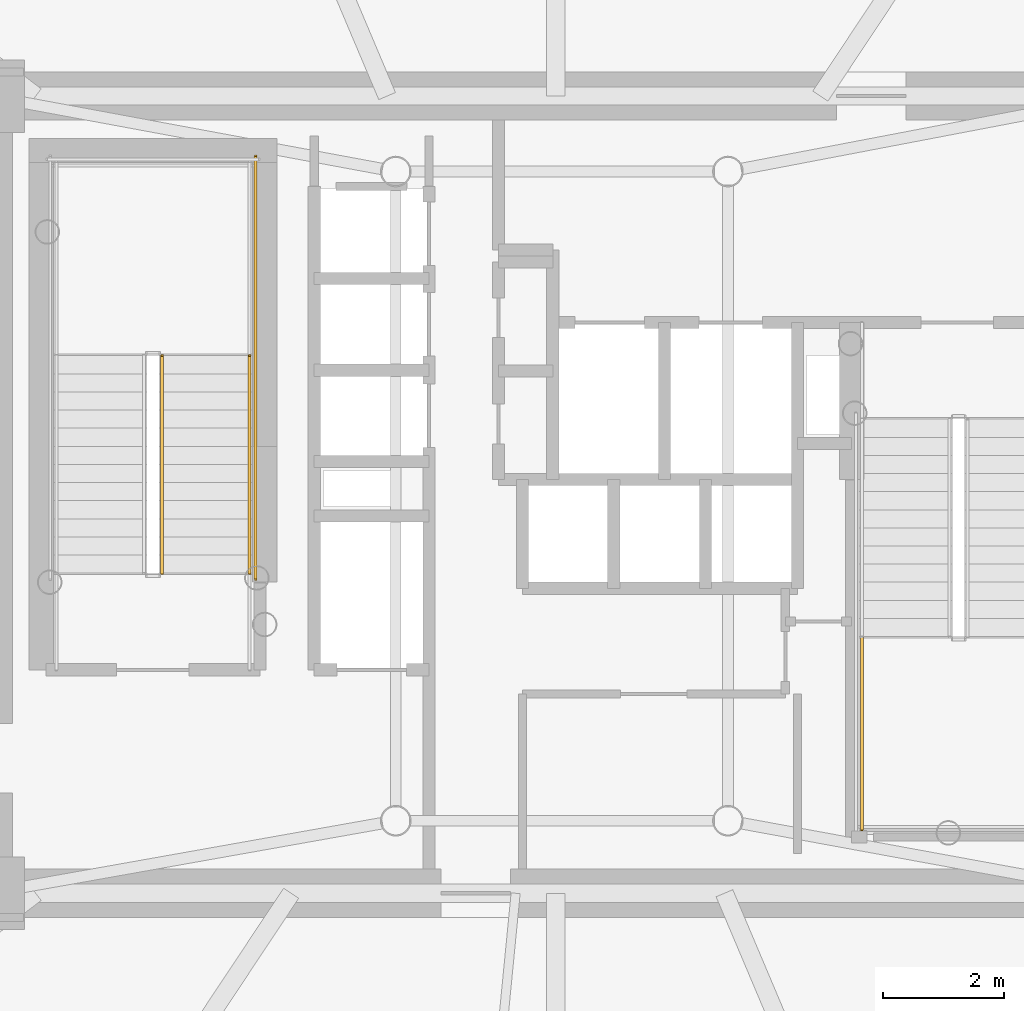
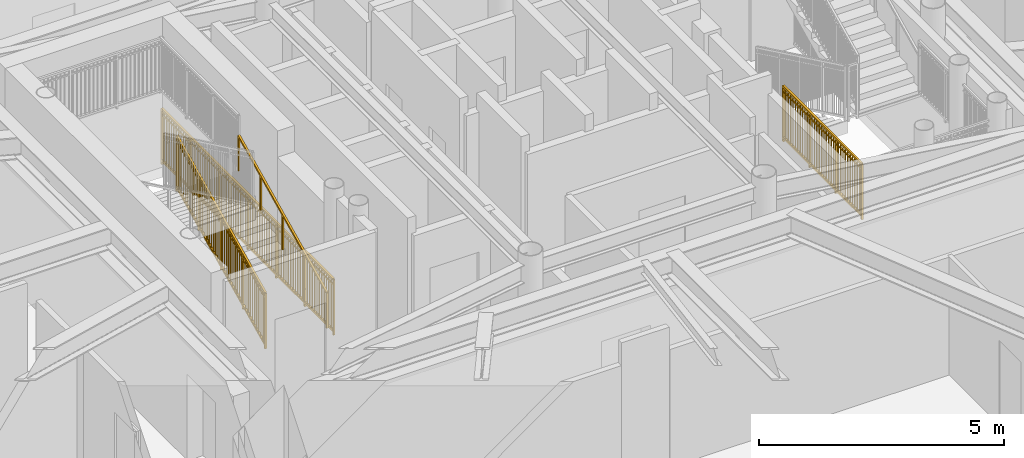
# One storey, part 13 of 17: 4 railings.
"""IFC4 building model written with IfcOpenShell, lengths in metres."""

from ifc_helpers import new_model, si_unit, direction, frame, origin, origin_2d, place, context, subcontext, project, spatial, rectangle, extrude, source, transform, mapped, material, type_object, element, save


model = new_model("IFC4")

# Units and contexts
model_context = context("Model", 3, precision=1e-05, world=origin(), true_north=direction((0.0, 1.0)))
body_context = subcontext(model_context, "Body", "Model", "MODEL_VIEW")
ifc_project = project(units=[si_unit("LENGTHUNIT", "METRE"), si_unit("AREAUNIT", "SQUARE_METRE"), si_unit("VOLUMEUNIT", "CUBIC_METRE"), si_unit("PLANEANGLEUNIT", "RADIAN"), si_unit("MASSUNIT", "GRAM", prefix="KILO")], contexts=[model_context])

# Site, building, storey
site_placement = place(None, origin())
site = spatial("IfcSite", under=ifc_project, at=site_placement, CompositionType="ELEMENT")
building_placement = place(site_placement, origin())
building = spatial("IfcBuilding", under=site, at=building_placement, Name="Linh Dai School and Residence Tower", CompositionType="ELEMENT")
storey_placement = place(building_placement, frame((0.0, 0.0, 197.39990234375)))
storey = spatial("IfcBuildingStorey", under=building, at=storey_placement, Name="L48", CompositionType="ELEMENT", Elevation=197.39990234375)

# Railings
ifc_material_1 = material(Name="Structural Steel S355JR", Category="steel")
railing_type_1 = type_object("IfcRailingType", Name="RL-ST-GUARD-1400", PredefinedType="GUARDRAIL", material=ifc_material_1)
shared_shape_1 = source(origin(), body_context, "Body", "SweptSolid", [
    extrude(rectangle(XDim=0.048095703125, YDim=0.048095703125, at=origin_2d()), frame((0.0, 0.0, 1.3759765625), z_axis=(0.0, 1.0, 0.0), x_axis=(-1.0, 0.0, 0.0)), (0.0, 0.0, 1.0), 7.0),
    extrude(rectangle(XDim=0.048095703125, YDim=0.048095703125, at=origin_2d()), frame((0.0, 0.0, 0.10009765625), z_axis=(0.0, 1.0, 0.0), x_axis=(-1.0, 0.0, 0.0)), (0.0, 0.0, 1.0), 7.0),
    extrude(rectangle(XDim=0.030029296875, YDim=0.030029296875, at=origin_2d()), frame((0.0, 0.0, 1.239990234375), z_axis=(0.0, 1.0, 0.0), x_axis=(-1.0, 0.0, 0.0)), (0.0, 0.0, 1.0), 7.0),
    extrude(rectangle(XDim=0.02001953125, YDim=0.02001953125, at=origin_2d()), frame((0.0, 0.09716796875, 0.10009765625)), (0.0, 0.0, 1.0), 1.251708984375),
    extrude(rectangle(XDim=0.02001953125, YDim=0.02001953125, at=origin_2d()), frame((0.0, 0.1943359375, 0.10009765625)), (0.0, 0.0, 1.0), 1.251708984375),
    extrude(rectangle(XDim=0.02001953125, YDim=0.02001953125, at=origin_2d()), frame((0.0, 0.291748046875, 0.10009765625)), (0.0, 0.0, 1.0), 1.251708984375),
    extrude(rectangle(XDim=0.02001953125, YDim=0.02001953125, at=origin_2d()), frame((0.0, 0.388916015625, 0.10009765625)), (0.0, 0.0, 1.0), 1.251708984375),
    extrude(rectangle(XDim=0.02001953125, YDim=0.02001953125, at=origin_2d()), frame((0.0, 0.486083984375, 0.10009765625)), (0.0, 0.0, 1.0), 1.251708984375),
    extrude(rectangle(XDim=0.02001953125, YDim=0.02001953125, at=origin_2d()), frame((0.0, 0.583251953125, 0.10009765625)), (0.0, 0.0, 1.0), 1.251708984375),
    extrude(rectangle(XDim=0.02001953125, YDim=0.02001953125, at=origin_2d()), frame((0.0, 0.6806640625, 0.10009765625)), (0.0, 0.0, 1.0), 1.251708984375),
    extrude(rectangle(XDim=0.02001953125, YDim=0.02001953125, at=origin_2d()), frame((0.0, 0.77783203125, 0.10009765625)), (0.0, 0.0, 1.0), 1.251708984375),
    extrude(rectangle(XDim=0.02001953125, YDim=0.02001953125, at=origin_2d()), frame((0.0, 0.875, 0.10009765625)), (0.0, 0.0, 1.0), 1.251708984375),
    extrude(rectangle(XDim=0.02001953125, YDim=0.02001953125, at=origin_2d()), frame((0.0, 0.97216796875, 0.10009765625)), (0.0, 0.0, 1.0), 1.251708984375),
    extrude(rectangle(XDim=0.02001953125, YDim=0.02001953125, at=origin_2d()), frame((0.0, 1.0693359375, 0.10009765625)), (0.0, 0.0, 1.0), 1.251708984375),
    extrude(rectangle(XDim=0.02001953125, YDim=0.02001953125, at=origin_2d()), frame((0.0, 1.263916015625, 0.10009765625)), (0.0, 0.0, 1.0), 1.251708984375),
    extrude(rectangle(XDim=0.02001953125, YDim=0.02001953125, at=origin_2d()), frame((0.0, 1.361083984375, 0.10009765625)), (0.0, 0.0, 1.0), 1.251708984375),
    extrude(rectangle(XDim=0.02001953125, YDim=0.02001953125, at=origin_2d()), frame((0.0, 1.458251953125, 0.10009765625)), (0.0, 0.0, 1.0), 1.251708984375),
    extrude(rectangle(XDim=0.02001953125, YDim=0.02001953125, at=origin_2d()), frame((0.0, 1.5556640625, 0.10009765625)), (0.0, 0.0, 1.0), 1.251708984375),
    extrude(rectangle(XDim=0.02001953125, YDim=0.02001953125, at=origin_2d()), frame((0.0, 1.65283203125, 0.10009765625)), (0.0, 0.0, 1.0), 1.251708984375),
    extrude(rectangle(XDim=0.02001953125, YDim=0.02001953125, at=origin_2d()), frame((0.0, 1.75, 0.10009765625)), (0.0, 0.0, 1.0), 1.251708984375),
    extrude(rectangle(XDim=0.02001953125, YDim=0.02001953125, at=origin_2d()), frame((0.0, 1.84716796875, 0.10009765625)), (0.0, 0.0, 1.0), 1.251708984375),
    extrude(rectangle(XDim=0.02001953125, YDim=0.02001953125, at=origin_2d()), frame((0.0, 1.9443359375, 0.10009765625)), (0.0, 0.0, 1.0), 1.251708984375),
    extrude(rectangle(XDim=0.02001953125, YDim=0.02001953125, at=origin_2d()), frame((0.0, 2.041748046875, 0.10009765625)), (0.0, 0.0, 1.0), 1.251708984375),
    extrude(rectangle(XDim=0.02001953125, YDim=0.02001953125, at=origin_2d()), frame((0.0, 2.138916015625, 0.10009765625)), (0.0, 0.0, 1.0), 1.251708984375),
    extrude(rectangle(XDim=0.02001953125, YDim=0.02001953125, at=origin_2d()), frame((0.0, 2.236083984375, 0.10009765625)), (0.0, 0.0, 1.0), 1.251708984375),
    extrude(rectangle(XDim=0.02001953125, YDim=0.02001953125, at=origin_2d()), frame((0.0, 2.4306640625, 0.10009765625)), (0.0, 0.0, 1.0), 1.251708984375),
    extrude(rectangle(XDim=0.02001953125, YDim=0.02001953125, at=origin_2d()), frame((0.0, 2.52783203125, 0.10009765625)), (0.0, 0.0, 1.0), 1.251708984375),
    extrude(rectangle(XDim=0.02001953125, YDim=0.02001953125, at=origin_2d()), frame((0.0, 2.625, 0.10009765625)), (0.0, 0.0, 1.0), 1.251708984375),
    extrude(rectangle(XDim=0.02001953125, YDim=0.02001953125, at=origin_2d()), frame((0.0, 2.72216796875, 0.10009765625)), (0.0, 0.0, 1.0), 1.251708984375),
    extrude(rectangle(XDim=0.02001953125, YDim=0.02001953125, at=origin_2d()), frame((0.0, 2.8193359375, 0.10009765625)), (0.0, 0.0, 1.0), 1.251708984375),
    extrude(rectangle(XDim=0.02001953125, YDim=0.02001953125, at=origin_2d()), frame((0.0, 2.916748046875, 0.10009765625)), (0.0, 0.0, 1.0), 1.251708984375),
    extrude(rectangle(XDim=0.02001953125, YDim=0.02001953125, at=origin_2d()), frame((0.0, 3.013916015625, 0.10009765625)), (0.0, 0.0, 1.0), 1.251708984375),
    extrude(rectangle(XDim=0.02001953125, YDim=0.02001953125, at=origin_2d()), frame((0.0, 3.111083984375, 0.10009765625)), (0.0, 0.0, 1.0), 1.251708984375),
    extrude(rectangle(XDim=0.02001953125, YDim=0.02001953125, at=origin_2d()), frame((0.0, 3.208251953125, 0.10009765625)), (0.0, 0.0, 1.0), 1.251708984375),
    extrude(rectangle(XDim=0.02001953125, YDim=0.02001953125, at=origin_2d()), frame((0.0, 3.3056640625, 0.10009765625)), (0.0, 0.0, 1.0), 1.251708984375),
    extrude(rectangle(XDim=0.02001953125, YDim=0.02001953125, at=origin_2d()), frame((0.0, 3.40283203125, 0.10009765625)), (0.0, 0.0, 1.0), 1.251708984375),
    extrude(rectangle(XDim=0.02001953125, YDim=0.02001953125, at=origin_2d()), frame((0.0, 3.59716796875, 0.10009765625)), (0.0, 0.0, 1.0), 1.251708984375),
    extrude(rectangle(XDim=0.02001953125, YDim=0.02001953125, at=origin_2d()), frame((0.0, 3.6943359375, 0.10009765625)), (0.0, 0.0, 1.0), 1.251708984375),
    extrude(rectangle(XDim=0.02001953125, YDim=0.02001953125, at=origin_2d()), frame((0.0, 3.791748046875, 0.10009765625)), (0.0, 0.0, 1.0), 1.251708984375),
    extrude(rectangle(XDim=0.02001953125, YDim=0.02001953125, at=origin_2d()), frame((0.0, 3.888916015625, 0.10009765625)), (0.0, 0.0, 1.0), 1.251708984375),
    extrude(rectangle(XDim=0.02001953125, YDim=0.02001953125, at=origin_2d()), frame((0.0, 3.986083984375, 0.10009765625)), (0.0, 0.0, 1.0), 1.251708984375),
    extrude(rectangle(XDim=0.02001953125, YDim=0.02001953125, at=origin_2d()), frame((0.0, 4.083251953125, 0.10009765625)), (0.0, 0.0, 1.0), 1.251708984375),
    extrude(rectangle(XDim=0.02001953125, YDim=0.02001953125, at=origin_2d()), frame((0.0, 4.1806640625, 0.10009765625)), (0.0, 0.0, 1.0), 1.251708984375),
    extrude(rectangle(XDim=0.02001953125, YDim=0.02001953125, at=origin_2d()), frame((0.0, 4.27783203125, 0.10009765625)), (0.0, 0.0, 1.0), 1.251708984375),
    extrude(rectangle(XDim=0.02001953125, YDim=0.02001953125, at=origin_2d()), frame((0.0, 4.375, 0.10009765625)), (0.0, 0.0, 1.0), 1.251708984375),
    extrude(rectangle(XDim=0.02001953125, YDim=0.02001953125, at=origin_2d()), frame((0.0, 4.47216796875, 0.10009765625)), (0.0, 0.0, 1.0), 1.251708984375),
    extrude(rectangle(XDim=0.02001953125, YDim=0.02001953125, at=origin_2d()), frame((0.0, 4.5693359375, 0.10009765625)), (0.0, 0.0, 1.0), 1.251708984375),
    extrude(rectangle(XDim=0.02001953125, YDim=0.02001953125, at=origin_2d()), frame((0.0, 4.763916015625, 0.10009765625)), (0.0, 0.0, 1.0), 1.251708984375),
    extrude(rectangle(XDim=0.02001953125, YDim=0.02001953125, at=origin_2d()), frame((0.0, 4.861083984375, 0.10009765625)), (0.0, 0.0, 1.0), 1.251708984375),
    extrude(rectangle(XDim=0.02001953125, YDim=0.02001953125, at=origin_2d()), frame((0.0, 4.958251953125, 0.10009765625)), (0.0, 0.0, 1.0), 1.251708984375),
    extrude(rectangle(XDim=0.02001953125, YDim=0.02001953125, at=origin_2d()), frame((0.0, 5.0556640625, 0.10009765625)), (0.0, 0.0, 1.0), 1.251708984375),
    extrude(rectangle(XDim=0.02001953125, YDim=0.02001953125, at=origin_2d()), frame((0.0, 5.15283203125, 0.10009765625)), (0.0, 0.0, 1.0), 1.251708984375),
    extrude(rectangle(XDim=0.02001953125, YDim=0.02001953125, at=origin_2d()), frame((0.0, 5.25, 0.10009765625)), (0.0, 0.0, 1.0), 1.251708984375),
    extrude(rectangle(XDim=0.02001953125, YDim=0.02001953125, at=origin_2d()), frame((0.0, 5.34716796875, 0.10009765625)), (0.0, 0.0, 1.0), 1.251708984375),
    extrude(rectangle(XDim=0.02001953125, YDim=0.02001953125, at=origin_2d()), frame((0.0, 5.4443359375, 0.10009765625)), (0.0, 0.0, 1.0), 1.251708984375),
    extrude(rectangle(XDim=0.02001953125, YDim=0.02001953125, at=origin_2d()), frame((0.0, 5.541748046875, 0.10009765625)), (0.0, 0.0, 1.0), 1.251708984375),
    extrude(rectangle(XDim=0.02001953125, YDim=0.02001953125, at=origin_2d()), frame((0.0, 5.638916015625, 0.10009765625)), (0.0, 0.0, 1.0), 1.251708984375),
    extrude(rectangle(XDim=0.02001953125, YDim=0.02001953125, at=origin_2d()), frame((0.0, 5.736083984375, 0.10009765625)), (0.0, 0.0, 1.0), 1.251708984375),
    extrude(rectangle(XDim=0.02001953125, YDim=0.02001953125, at=origin_2d()), frame((0.0, 5.9306640625, 0.10009765625)), (0.0, 0.0, 1.0), 1.251708984375),
    extrude(rectangle(XDim=0.02001953125, YDim=0.02001953125, at=origin_2d()), frame((0.0, 6.02783203125, 0.10009765625)), (0.0, 0.0, 1.0), 1.251708984375),
    extrude(rectangle(XDim=0.02001953125, YDim=0.02001953125, at=origin_2d()), frame((0.0, 6.125, 0.10009765625)), (0.0, 0.0, 1.0), 1.251708984375),
    extrude(rectangle(XDim=0.02001953125, YDim=0.02001953125, at=origin_2d()), frame((0.0, 6.22216796875, 0.10009765625)), (0.0, 0.0, 1.0), 1.251708984375),
    extrude(rectangle(XDim=0.02001953125, YDim=0.02001953125, at=origin_2d()), frame((0.0, 6.3193359375, 0.10009765625)), (0.0, 0.0, 1.0), 1.251708984375),
    extrude(rectangle(XDim=0.02001953125, YDim=0.02001953125, at=origin_2d()), frame((0.0, 6.416748046875, 0.10009765625)), (0.0, 0.0, 1.0), 1.251708984375),
    extrude(rectangle(XDim=0.02001953125, YDim=0.02001953125, at=origin_2d()), frame((0.0, 6.513916015625, 0.10009765625)), (0.0, 0.0, 1.0), 1.251708984375),
    extrude(rectangle(XDim=0.02001953125, YDim=0.02001953125, at=origin_2d()), frame((0.0, 6.611083984375, 0.10009765625)), (0.0, 0.0, 1.0), 1.251708984375),
    extrude(rectangle(XDim=0.02001953125, YDim=0.02001953125, at=origin_2d()), frame((0.0, 6.708251953125, 0.10009765625)), (0.0, 0.0, 1.0), 1.251708984375),
    extrude(rectangle(XDim=0.02001953125, YDim=0.02001953125, at=origin_2d()), frame((0.0, 6.8056640625, 0.10009765625)), (0.0, 0.0, 1.0), 1.251708984375),
    extrude(rectangle(XDim=0.02001953125, YDim=0.02001953125, at=origin_2d()), frame((0.0, 6.90283203125, 0.10009765625)), (0.0, 0.0, 1.0), 1.251708984375),
    extrude(rectangle(XDim=0.0419921875, YDim=0.0419921875, at=origin_2d()), origin(), (0.0, 0.0, 1.0), 1.3759765625),
    extrude(rectangle(XDim=0.0419921875, YDim=0.0419921875, at=origin_2d()), frame((0.0, 1.166748046875, 0.0)), (0.0, 0.0, 1.0), 1.3759765625),
    extrude(rectangle(XDim=0.0419921875, YDim=0.0419921875, at=origin_2d()), frame((0.0, 2.333251953125, 0.0)), (0.0, 0.0, 1.0), 1.3759765625),
    extrude(rectangle(XDim=0.0419921875, YDim=0.0419921875, at=origin_2d()), frame((0.0, 3.5, 0.0)), (0.0, 0.0, 1.0), 1.3759765625),
    extrude(rectangle(XDim=0.0419921875, YDim=0.0419921875, at=origin_2d()), frame((0.0, 4.666748046875, 0.0)), (0.0, 0.0, 1.0), 1.3759765625),
    extrude(rectangle(XDim=0.0419921875, YDim=0.0419921875, at=origin_2d()), frame((0.0, 5.833251953125, 0.0)), (0.0, 0.0, 1.0), 1.3759765625),
    extrude(rectangle(XDim=0.0419921875, YDim=0.0419921875, at=origin_2d()), frame((0.0, 7.0, 0.0)), (0.0, 0.0, 1.0), 1.3759765625),
])
railing_1_placement = place(storey_placement, frame((31.030029296875, 25.60009765625, 0.0)))
element("IfcRailing", 1, at=railing_1_placement, inside=storey, type_object=railing_type_1, Name="L48 ST1 stair guard 10", PredefinedType="GUARDRAIL", context=body_context, shape_type="MappedRepresentation", body=[
    mapped(shared_shape_1, transform((0.0, 0.0, 0.0), x_axis=(1.0, 0.0, 0.0), y_axis=(0.0, 1.0, 0.0), z_axis=(0.0, 0.0, 1.0), scale=1.0)),
])
shared_shape_2 = source(origin(), body_context, "Body", "SweptSolid", [
    extrude(rectangle(XDim=0.048095703125, YDim=0.048095703125, at=origin_2d()), frame((0.0, 0.0, 1.3759765625), z_axis=(0.0, 0.901262522062, 0.433273431364), x_axis=(-1.0, 0.0, 0.0)), (0.0, 0.0, 1.0), 3.994384765625),
    extrude(rectangle(XDim=0.048095703125, YDim=0.048095703125, at=origin_2d()), frame((0.0, 0.0, 0.10009765625), z_axis=(0.0, 0.901262522062, 0.433273431364), x_axis=(-1.0, 0.0, 0.0)), (0.0, 0.0, 1.0), 3.994384765625),
    extrude(rectangle(XDim=0.030029296875, YDim=0.030029296875, at=origin_2d()), frame((0.0, 0.0, 1.239990234375), z_axis=(0.0, 0.901262522062, 0.433273431364), x_axis=(-1.0, 0.0, 0.0)), (0.0, 0.0, 1.0), 3.994384765625),
    extrude(rectangle(XDim=0.02001953125, YDim=0.02001953125, at=origin_2d()), frame((0.0, 0.087890625, 0.142333984375)), (0.0, 0.0, 1.0), 1.251708984375),
    extrude(rectangle(XDim=0.02001953125, YDim=0.02001953125, at=origin_2d()), frame((0.0, 0.175537109375, 0.1845703125)), (0.0, 0.0, 1.0), 1.251708984375),
    extrude(rectangle(XDim=0.02001953125, YDim=0.02001953125, at=origin_2d()), frame((0.0, 0.263427734375, 0.226806640625)), (0.0, 0.0, 1.0), 1.251708984375),
    extrude(rectangle(XDim=0.02001953125, YDim=0.02001953125, at=origin_2d()), frame((0.0, 0.351318359375, 0.26904296875)), (0.0, 0.0, 1.0), 1.251708984375),
    extrude(rectangle(XDim=0.02001953125, YDim=0.02001953125, at=origin_2d()), frame((0.0, 0.43896484375, 0.311279296875)), (0.0, 0.0, 1.0), 1.251708984375),
    extrude(rectangle(XDim=0.02001953125, YDim=0.02001953125, at=origin_2d()), frame((0.0, 0.52685546875, 0.353271484375)), (0.0, 0.0, 1.0), 1.251708984375),
    extrude(rectangle(XDim=0.02001953125, YDim=0.02001953125, at=origin_2d()), frame((0.0, 0.61474609375, 0.3955078125)), (0.0, 0.0, 1.0), 1.251708984375),
    extrude(rectangle(XDim=0.02001953125, YDim=0.02001953125, at=origin_2d()), frame((0.0, 0.702392578125, 0.437744140625)), (0.0, 0.0, 1.0), 1.251708984375),
    extrude(rectangle(XDim=0.02001953125, YDim=0.02001953125, at=origin_2d()), frame((0.0, 0.790283203125, 0.47998046875)), (0.0, 0.0, 1.0), 1.251708984375),
    extrude(rectangle(XDim=0.02001953125, YDim=0.02001953125, at=origin_2d()), frame((0.0, 0.9658203125, 0.564453125)), (0.0, 0.0, 1.0), 1.251708984375),
    extrude(rectangle(XDim=0.02001953125, YDim=0.02001953125, at=origin_2d()), frame((0.0, 1.0537109375, 0.606689453125)), (0.0, 0.0, 1.0), 1.251708984375),
    extrude(rectangle(XDim=0.02001953125, YDim=0.02001953125, at=origin_2d()), frame((0.0, 1.1416015625, 0.64892578125)), (0.0, 0.0, 1.0), 1.251708984375),
    extrude(rectangle(XDim=0.02001953125, YDim=0.02001953125, at=origin_2d()), frame((0.0, 1.229248046875, 0.691162109375)), (0.0, 0.0, 1.0), 1.251708984375),
    extrude(rectangle(XDim=0.02001953125, YDim=0.02001953125, at=origin_2d()), frame((0.0, 1.317138671875, 0.7333984375)), (0.0, 0.0, 1.0), 1.251708984375),
    extrude(rectangle(XDim=0.02001953125, YDim=0.02001953125, at=origin_2d()), frame((0.0, 1.405029296875, 0.775390625)), (0.0, 0.0, 1.0), 1.251708984375),
    extrude(rectangle(XDim=0.02001953125, YDim=0.02001953125, at=origin_2d()), frame((0.0, 1.49267578125, 0.817626953125)), (0.0, 0.0, 1.0), 1.251708984375),
    extrude(rectangle(XDim=0.02001953125, YDim=0.02001953125, at=origin_2d()), frame((0.0, 1.58056640625, 0.85986328125)), (0.0, 0.0, 1.0), 1.251708984375),
    extrude(rectangle(XDim=0.02001953125, YDim=0.02001953125, at=origin_2d()), frame((0.0, 1.66845703125, 0.902099609375)), (0.0, 0.0, 1.0), 1.251708984375),
    extrude(rectangle(XDim=0.02001953125, YDim=0.02001953125, at=origin_2d()), frame((0.0, 1.756103515625, 0.9443359375)), (0.0, 0.0, 1.0), 1.251708984375),
    extrude(rectangle(XDim=0.02001953125, YDim=0.02001953125, at=origin_2d()), frame((0.0, 1.843994140625, 0.986572265625)), (0.0, 0.0, 1.0), 1.251708984375),
    extrude(rectangle(XDim=0.02001953125, YDim=0.02001953125, at=origin_2d()), frame((0.0, 1.931640625, 1.02880859375)), (0.0, 0.0, 1.0), 1.251708984375),
    extrude(rectangle(XDim=0.02001953125, YDim=0.02001953125, at=origin_2d()), frame((0.0, 2.01953125, 1.071044921875)), (0.0, 0.0, 1.0), 1.251708984375),
    extrude(rectangle(XDim=0.02001953125, YDim=0.02001953125, at=origin_2d()), frame((0.0, 2.107421875, 1.11328125)), (0.0, 0.0, 1.0), 1.251708984375),
    extrude(rectangle(XDim=0.02001953125, YDim=0.02001953125, at=origin_2d()), frame((0.0, 2.195068359375, 1.155517578125)), (0.0, 0.0, 1.0), 1.251708984375),
    extrude(rectangle(XDim=0.02001953125, YDim=0.02001953125, at=origin_2d()), frame((0.0, 2.282958984375, 1.197509765625)), (0.0, 0.0, 1.0), 1.251708984375),
    extrude(rectangle(XDim=0.02001953125, YDim=0.02001953125, at=origin_2d()), frame((0.0, 2.370849609375, 1.23974609375)), (0.0, 0.0, 1.0), 1.251708984375),
    extrude(rectangle(XDim=0.02001953125, YDim=0.02001953125, at=origin_2d()), frame((0.0, 2.45849609375, 1.281982421875)), (0.0, 0.0, 1.0), 1.251708984375),
    extrude(rectangle(XDim=0.02001953125, YDim=0.02001953125, at=origin_2d()), frame((0.0, 2.54638671875, 1.32421875)), (0.0, 0.0, 1.0), 1.251708984375),
    extrude(rectangle(XDim=0.02001953125, YDim=0.02001953125, at=origin_2d()), frame((0.0, 2.63427734375, 1.366455078125)), (0.0, 0.0, 1.0), 1.251708984375),
    extrude(rectangle(XDim=0.02001953125, YDim=0.02001953125, at=origin_2d()), frame((0.0, 2.809814453125, 1.450927734375)), (0.0, 0.0, 1.0), 1.251708984375),
    extrude(rectangle(XDim=0.02001953125, YDim=0.02001953125, at=origin_2d()), frame((0.0, 2.897705078125, 1.4931640625)), (0.0, 0.0, 1.0), 1.251708984375),
    extrude(rectangle(XDim=0.02001953125, YDim=0.02001953125, at=origin_2d()), frame((0.0, 2.9853515625, 1.535400390625)), (0.0, 0.0, 1.0), 1.251708984375),
    extrude(rectangle(XDim=0.02001953125, YDim=0.02001953125, at=origin_2d()), frame((0.0, 3.0732421875, 1.57763671875)), (0.0, 0.0, 1.0), 1.251708984375),
    extrude(rectangle(XDim=0.02001953125, YDim=0.02001953125, at=origin_2d()), frame((0.0, 3.1611328125, 1.61962890625)), (0.0, 0.0, 1.0), 1.251708984375),
    extrude(rectangle(XDim=0.02001953125, YDim=0.02001953125, at=origin_2d()), frame((0.0, 3.248779296875, 1.661865234375)), (0.0, 0.0, 1.0), 1.251708984375),
    extrude(rectangle(XDim=0.02001953125, YDim=0.02001953125, at=origin_2d()), frame((0.0, 3.336669921875, 1.7041015625)), (0.0, 0.0, 1.0), 1.251708984375),
    extrude(rectangle(XDim=0.02001953125, YDim=0.02001953125, at=origin_2d()), frame((0.0, 3.424560546875, 1.746337890625)), (0.0, 0.0, 1.0), 1.251708984375),
    extrude(rectangle(XDim=0.02001953125, YDim=0.02001953125, at=origin_2d()), frame((0.0, 3.51220703125, 1.78857421875)), (0.0, 0.0, 1.0), 1.251708984375),
    extrude(rectangle(XDim=0.0419921875, YDim=0.0419921875, at=origin_2d()), origin(), (0.0, 0.0, 1.0), 1.3759765625),
    extrude(rectangle(XDim=0.0419921875, YDim=0.0419921875, at=origin_2d()), frame((0.0, 0.89990234375, 0.4326171875)), (0.0, 0.0, 1.0), 1.3759765625),
    extrude(rectangle(XDim=0.0419921875, YDim=0.0419921875, at=origin_2d()), frame((0.0, 1.800048828125, 0.865234375)), (0.0, 0.0, 1.0), 1.3759765625),
    extrude(rectangle(XDim=0.0419921875, YDim=0.0419921875, at=origin_2d()), frame((0.0, 2.7001953125, 1.298095703125)), (0.0, 0.0, 1.0), 1.3759765625),
    extrude(rectangle(XDim=0.0419921875, YDim=0.0419921875, at=origin_2d()), frame((0.0, 3.60009765625, 1.730712890625)), (0.0, 0.0, 1.0), 1.3759765625),
])
railing_2_placement = place(storey_placement, frame((29.47998046875, 25.699951171875, 0.144287109375)))
element("IfcRailing", 2, at=railing_2_placement, inside=storey, type_object=railing_type_1, Name="L48 ST1 stair guard 1", PredefinedType="GUARDRAIL", context=body_context, shape_type="MappedRepresentation", body=[
    mapped(shared_shape_2, transform((0.0, 0.0, 0.0), x_axis=(1.0, 0.0, 0.0), y_axis=(0.0, 1.0, 0.0), z_axis=(0.0, 0.0, 1.0), scale=1.0)),
])
ifc_material_2 = material(Name="Brushed Stainless Steel Handrail", Category="steel")
railing_type_2 = type_object("IfcRailingType", Name="RL-ST-HANDRAIL-900", PredefinedType="HANDRAIL", material=ifc_material_2)
shared_shape_3 = source(origin(), body_context, "Body", "SweptSolid", [
    extrude(rectangle(XDim=0.048095703125, YDim=0.048095703125, at=origin_2d()), frame((0.0, 0.0, 0.8759765625), z_axis=(0.0, 0.901262522062, 0.433273431364), x_axis=(-1.0, 0.0, 0.0)), (0.0, 0.0, 1.0), 3.994384765625),
    extrude(rectangle(XDim=0.0419921875, YDim=0.0419921875, at=origin_2d()), origin(), (0.0, 0.0, 1.0), 0.8759765625),
    extrude(rectangle(XDim=0.0419921875, YDim=0.0419921875, at=origin_2d()), frame((0.0, 0.89990234375, 0.4326171875)), (0.0, 0.0, 1.0), 0.8759765625),
    extrude(rectangle(XDim=0.0419921875, YDim=0.0419921875, at=origin_2d()), frame((0.0, 1.800048828125, 0.865234375)), (0.0, 0.0, 1.0), 0.8759765625),
    extrude(rectangle(XDim=0.0419921875, YDim=0.0419921875, at=origin_2d()), frame((0.0, 2.7001953125, 1.298095703125)), (0.0, 0.0, 1.0), 0.8759765625),
    extrude(rectangle(XDim=0.0419921875, YDim=0.0419921875, at=origin_2d()), frame((0.0, 3.60009765625, 1.730712890625)), (0.0, 0.0, 1.0), 0.8759765625),
])
railing_3_placement = place(storey_placement, frame((30.929931640625, 25.699951171875, 0.144287109375)))
element("IfcRailing", 3, at=railing_3_placement, inside=storey, type_object=railing_type_2, Name="L48 ST1 stair handrail 1", PredefinedType="HANDRAIL", context=body_context, shape_type="MappedRepresentation", body=[
    mapped(shared_shape_3, transform((0.0, 0.0, 0.0), x_axis=(1.0, 0.0, 0.0), y_axis=(0.0, 1.0, 0.0), z_axis=(0.0, 0.0, 1.0), scale=1.0)),
])
shared_shape_4 = source(origin(), body_context, "Body", "SweptSolid", [
    extrude(rectangle(XDim=0.048095703125, YDim=0.048095703125, at=origin_2d()), frame((0.0, 0.0, 1.3759765625), z_axis=(0.0, -1.0, 0.0), x_axis=(1.0, 0.0, 0.0)), (0.0, 0.0, 1.0), 3.199951171875),
    extrude(rectangle(XDim=0.048095703125, YDim=0.048095703125, at=origin_2d()), frame((0.0, 0.0, 0.10009765625), z_axis=(0.0, -1.0, 0.0), x_axis=(1.0, 0.0, 0.0)), (0.0, 0.0, 1.0), 3.199951171875),
    extrude(rectangle(XDim=0.030029296875, YDim=0.030029296875, at=origin_2d()), frame((0.0, 0.0, 1.239990234375), z_axis=(0.0, -1.0, 0.0), x_axis=(1.0, 0.0, 0.0)), (0.0, 0.0, 1.0), 3.199951171875),
    extrude(rectangle(XDim=0.02001953125, YDim=0.02001953125, at=origin_2d()), frame((0.0, -0.096923828125, 0.10009765625)), (0.0, 0.0, 1.0), 1.251708984375),
    extrude(rectangle(XDim=0.02001953125, YDim=0.02001953125, at=origin_2d()), frame((0.0, -0.19384765625, 0.10009765625)), (0.0, 0.0, 1.0), 1.251708984375),
    extrude(rectangle(XDim=0.02001953125, YDim=0.02001953125, at=origin_2d()), frame((0.0, -0.291015625, 0.10009765625)), (0.0, 0.0, 1.0), 1.251708984375),
    extrude(rectangle(XDim=0.02001953125, YDim=0.02001953125, at=origin_2d()), frame((0.0, -0.387939453125, 0.10009765625)), (0.0, 0.0, 1.0), 1.251708984375),
    extrude(rectangle(XDim=0.02001953125, YDim=0.02001953125, at=origin_2d()), frame((0.0, -0.48486328125, 0.10009765625)), (0.0, 0.0, 1.0), 1.251708984375),
    extrude(rectangle(XDim=0.02001953125, YDim=0.02001953125, at=origin_2d()), frame((0.0, -0.581787109375, 0.10009765625)), (0.0, 0.0, 1.0), 1.251708984375),
    extrude(rectangle(XDim=0.02001953125, YDim=0.02001953125, at=origin_2d()), frame((0.0, -0.6787109375, 0.10009765625)), (0.0, 0.0, 1.0), 1.251708984375),
    extrude(rectangle(XDim=0.02001953125, YDim=0.02001953125, at=origin_2d()), frame((0.0, -0.775634765625, 0.10009765625)), (0.0, 0.0, 1.0), 1.251708984375),
    extrude(rectangle(XDim=0.02001953125, YDim=0.02001953125, at=origin_2d()), frame((0.0, -0.872802734375, 0.10009765625)), (0.0, 0.0, 1.0), 1.251708984375),
    extrude(rectangle(XDim=0.02001953125, YDim=0.02001953125, at=origin_2d()), frame((0.0, -0.9697265625, 0.10009765625)), (0.0, 0.0, 1.0), 1.251708984375),
    extrude(rectangle(XDim=0.02001953125, YDim=0.02001953125, at=origin_2d()), frame((0.0, -1.16357421875, 0.10009765625)), (0.0, 0.0, 1.0), 1.251708984375),
    extrude(rectangle(XDim=0.02001953125, YDim=0.02001953125, at=origin_2d()), frame((0.0, -1.260498046875, 0.10009765625)), (0.0, 0.0, 1.0), 1.251708984375),
    extrude(rectangle(XDim=0.02001953125, YDim=0.02001953125, at=origin_2d()), frame((0.0, -1.357666015625, 0.10009765625)), (0.0, 0.0, 1.0), 1.251708984375),
    extrude(rectangle(XDim=0.02001953125, YDim=0.02001953125, at=origin_2d()), frame((0.0, -1.45458984375, 0.10009765625)), (0.0, 0.0, 1.0), 1.251708984375),
    extrude(rectangle(XDim=0.02001953125, YDim=0.02001953125, at=origin_2d()), frame((0.0, -1.551513671875, 0.10009765625)), (0.0, 0.0, 1.0), 1.251708984375),
    extrude(rectangle(XDim=0.02001953125, YDim=0.02001953125, at=origin_2d()), frame((0.0, -1.6484375, 0.10009765625)), (0.0, 0.0, 1.0), 1.251708984375),
    extrude(rectangle(XDim=0.02001953125, YDim=0.02001953125, at=origin_2d()), frame((0.0, -1.745361328125, 0.10009765625)), (0.0, 0.0, 1.0), 1.251708984375),
    extrude(rectangle(XDim=0.02001953125, YDim=0.02001953125, at=origin_2d()), frame((0.0, -1.84228515625, 0.10009765625)), (0.0, 0.0, 1.0), 1.251708984375),
    extrude(rectangle(XDim=0.02001953125, YDim=0.02001953125, at=origin_2d()), frame((0.0, -1.939453125, 0.10009765625)), (0.0, 0.0, 1.0), 1.251708984375),
    extrude(rectangle(XDim=0.02001953125, YDim=0.02001953125, at=origin_2d()), frame((0.0, -2.036376953125, 0.10009765625)), (0.0, 0.0, 1.0), 1.251708984375),
    extrude(rectangle(XDim=0.02001953125, YDim=0.02001953125, at=origin_2d()), frame((0.0, -2.230224609375, 0.10009765625)), (0.0, 0.0, 1.0), 1.251708984375),
    extrude(rectangle(XDim=0.02001953125, YDim=0.02001953125, at=origin_2d()), frame((0.0, -2.3271484375, 0.10009765625)), (0.0, 0.0, 1.0), 1.251708984375),
    extrude(rectangle(XDim=0.02001953125, YDim=0.02001953125, at=origin_2d()), frame((0.0, -2.42431640625, 0.10009765625)), (0.0, 0.0, 1.0), 1.251708984375),
    extrude(rectangle(XDim=0.02001953125, YDim=0.02001953125, at=origin_2d()), frame((0.0, -2.521240234375, 0.10009765625)), (0.0, 0.0, 1.0), 1.251708984375),
    extrude(rectangle(XDim=0.02001953125, YDim=0.02001953125, at=origin_2d()), frame((0.0, -2.6181640625, 0.10009765625)), (0.0, 0.0, 1.0), 1.251708984375),
    extrude(rectangle(XDim=0.02001953125, YDim=0.02001953125, at=origin_2d()), frame((0.0, -2.715087890625, 0.10009765625)), (0.0, 0.0, 1.0), 1.251708984375),
    extrude(rectangle(XDim=0.02001953125, YDim=0.02001953125, at=origin_2d()), frame((0.0, -2.81201171875, 0.10009765625)), (0.0, 0.0, 1.0), 1.251708984375),
    extrude(rectangle(XDim=0.02001953125, YDim=0.02001953125, at=origin_2d()), frame((0.0, -2.908935546875, 0.10009765625)), (0.0, 0.0, 1.0), 1.251708984375),
    extrude(rectangle(XDim=0.02001953125, YDim=0.02001953125, at=origin_2d()), frame((0.0, -3.006103515625, 0.10009765625)), (0.0, 0.0, 1.0), 1.251708984375),
    extrude(rectangle(XDim=0.02001953125, YDim=0.02001953125, at=origin_2d()), frame((0.0, -3.10302734375, 0.10009765625)), (0.0, 0.0, 1.0), 1.251708984375),
    extrude(rectangle(XDim=0.0419921875, YDim=0.0419921875, at=origin_2d()), origin(), (0.0, 0.0, 1.0), 1.3759765625),
    extrude(rectangle(XDim=0.0419921875, YDim=0.0419921875, at=origin_2d()), frame((0.0, -1.066650390625, 0.0)), (0.0, 0.0, 1.0), 1.3759765625),
    extrude(rectangle(XDim=0.0419921875, YDim=0.0419921875, at=origin_2d()), frame((0.0, -2.13330078125, 0.0)), (0.0, 0.0, 1.0), 1.3759765625),
    extrude(rectangle(XDim=0.0419921875, YDim=0.0419921875, at=origin_2d()), frame((0.0, -3.199951171875, 0.0)), (0.0, 0.0, 1.0), 1.3759765625),
])
railing_4_placement = place(storey_placement, frame((41.070068359375, 24.64990234375, 1.875)))
element("IfcRailing", 4, at=railing_4_placement, inside=storey, type_object=railing_type_1, Name="L48 ST2 stair guard 3", PredefinedType="GUARDRAIL", context=body_context, shape_type="MappedRepresentation", body=[
    mapped(shared_shape_4, transform((0.0, 0.0, 0.0), x_axis=(1.0, 0.0, 0.0), y_axis=(0.0, 1.0, 0.0), z_axis=(0.0, 0.0, 1.0), scale=1.0)),
])

save(model, "model.ifc")
